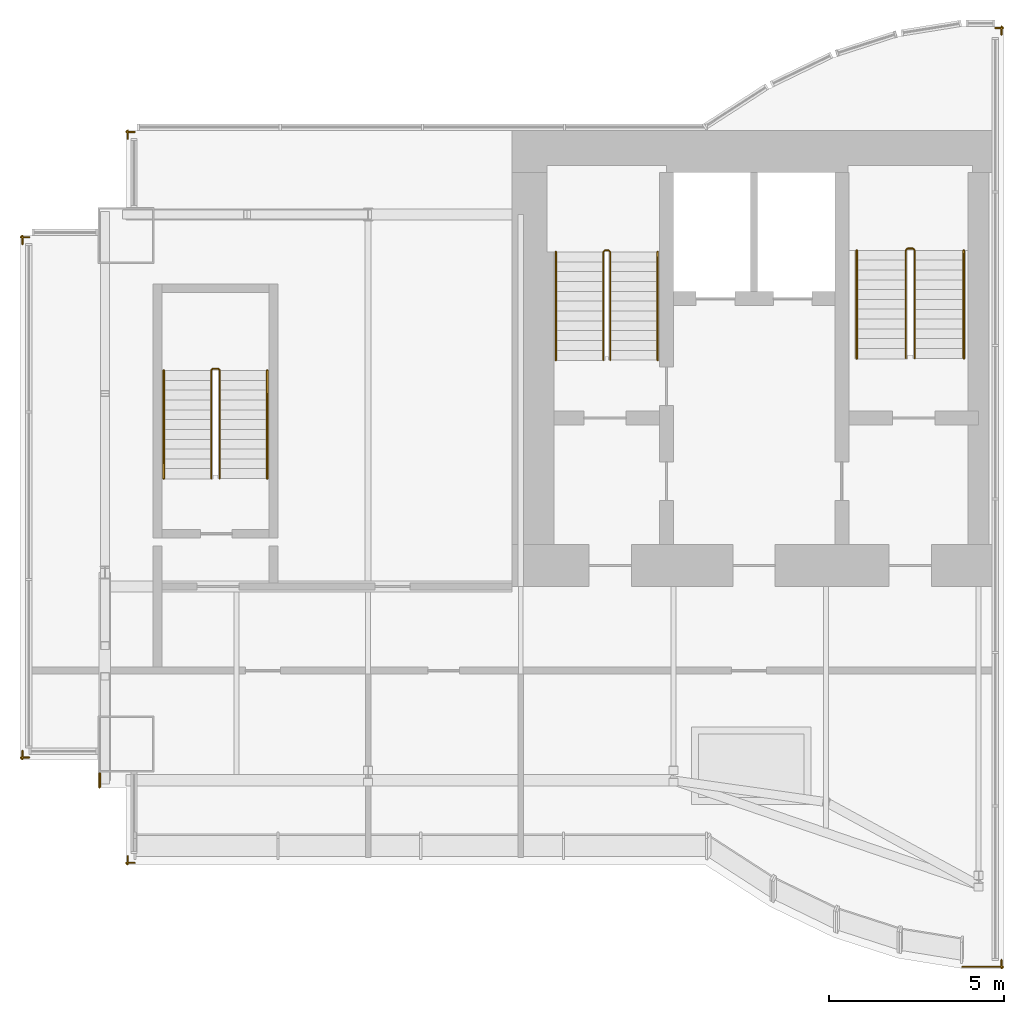
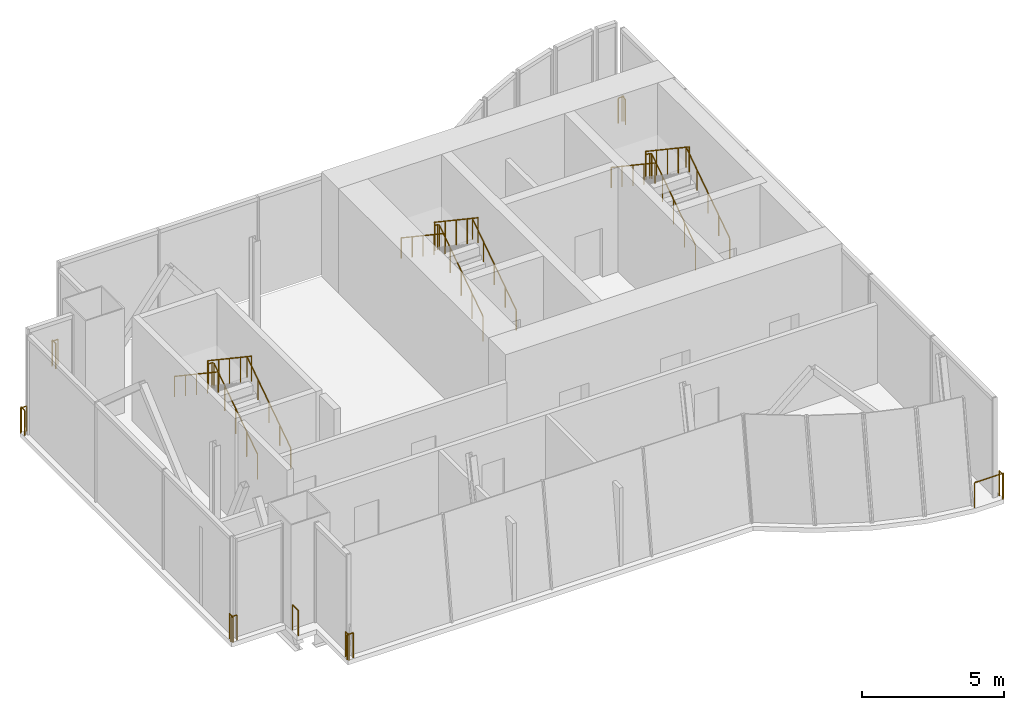
# One storey, part 5 of 6: 16 railings.
"""IFC4 building model written with IfcOpenShell, lengths in metres."""

from ifc_helpers import new_model, si_unit, direction, frame, origin, origin_2d, place, context, subcontext, project, spatial, circle, extrude, material, type_object, element, save


model = new_model("IFC4")

# Units and contexts
model_context = context("Model", 3, precision=1e-05, world=origin(), true_north=direction((0.0, 1.0)))
body_context = subcontext(model_context, "Body", "Model", "MODEL_VIEW")
ifc_project = project(units=[si_unit("LENGTHUNIT", "METRE"), si_unit("AREAUNIT", "SQUARE_METRE"), si_unit("VOLUMEUNIT", "CUBIC_METRE"), si_unit("PLANEANGLEUNIT", "RADIAN"), si_unit("MASSUNIT", "GRAM", prefix="KILO")], contexts=[model_context])

# Site, building, storey
site_placement = place(None, origin())
site = spatial("IfcSite", under=ifc_project, at=site_placement, CompositionType="ELEMENT")
building_placement = place(site_placement, origin())
building = spatial("IfcBuilding", under=site, at=building_placement, Name="Bicima Exchange Tower", CompositionType="ELEMENT")
storey_placement = place(building_placement, frame((0.0, 0.0, 365.89990234375)))
storey = spatial("IfcBuildingStorey", under=building, at=storey_placement, Name="L82", CompositionType="ELEMENT", Elevation=365.89990234375)

# Railings
ifc_material_1 = material(Name="Stainless steel and bonded safety glass", Category="steel")
railing_type_1 = type_object("IfcRailingType", Name="Edge guard 1100", PredefinedType="GUARDRAIL", material=ifc_material_1)
railing_1_placement = place(storey_placement, frame((-35.756103515625, -17.8759765625, 0.0)))
element("IfcRailing", 1, at=railing_1_placement, inside=storey, type_object=railing_type_1, Name="Edge guard L82 452", PredefinedType="GUARDRAIL", context=body_context, shape_type="SweptSolid", body=[
    extrude(circle(Radius=0.02392578125, at=origin_2d()), frame((0.0, 0.0, 1.076171875), z_axis=(-1.0, 0.0, 0.0), x_axis=(0.0, -1.0, 0.0)), (0.0, 0.0, 1.0), 0.243896484375),
    extrude(circle(Radius=0.02392578125, at=origin_2d()), frame((-0.243896484375, 0.0, 1.076171875), z_axis=(0.707106781187, -0.707106781187, 0.0), x_axis=(0.707106781187, 0.707106781187, 0.0)), (0.0, 0.0, 1.0), 0.07080078125),
    extrude(circle(Radius=0.02392578125, at=origin_2d()), frame((-0.19384765625, -0.050048828125, 1.076171875), z_axis=(0.0, 1.0, 0.0), x_axis=(-1.0, 0.0, 0.0)), (0.0, 0.0, 1.0), 0.248046875),
    extrude(circle(Radius=0.02099609375, at=origin_2d()), origin(), (0.0, 0.0, 1.0), 1.052001953125),
    extrude(circle(Radius=0.02099609375, at=origin_2d()), frame((-0.243896484375, 0.0, 0.0)), (0.0, 0.0, 1.0), 1.052001953125),
    extrude(circle(Radius=0.02099609375, at=origin_2d()), frame((-0.19384765625, -0.050048828125, 0.0)), (0.0, 0.0, 1.0), 1.052001953125),
    extrude(circle(Radius=0.02099609375, at=origin_2d()), frame((-0.19384765625, 0.197998046875, 0.0)), (0.0, 0.0, 1.0), 1.052001953125),
])
railing_2_placement = place(storey_placement, frame((-35.949951171875, -3.2490234375, 0.0)))
element("IfcRailing", 2, at=railing_2_placement, inside=storey, type_object=railing_type_1, Name="Edge guard L82 453", PredefinedType="GUARDRAIL", context=body_context, shape_type="SweptSolid", body=[
    extrude(circle(Radius=0.02392578125, at=origin_2d()), frame((0.0, 0.0, 1.076171875), z_axis=(0.0, 1.0, 0.0), x_axis=(-1.0, 0.0, 0.0)), (0.0, 0.0, 1.0), 0.2490234375),
    extrude(circle(Radius=0.02392578125, at=origin_2d()), frame((0.0, 0.2490234375, 1.076171875), z_axis=(-0.707106781187, -0.707106781187, 0.0), x_axis=(0.707106781187, -0.707106781187, 0.0)), (0.0, 0.0, 1.0), 0.07080078125),
    extrude(circle(Radius=0.02392578125, at=origin_2d()), frame((-0.050048828125, 0.198974609375, 1.076171875), z_axis=(1.0, 0.0, 0.0), x_axis=(0.0, 1.0, 0.0)), (0.0, 0.0, 1.0), 0.243896484375),
    extrude(circle(Radius=0.02099609375, at=origin_2d()), origin(), (0.0, 0.0, 1.0), 1.052001953125),
    extrude(circle(Radius=0.02099609375, at=origin_2d()), frame((0.0, 0.2490234375, 0.0)), (0.0, 0.0, 1.0), 1.052001953125),
    extrude(circle(Radius=0.02099609375, at=origin_2d()), frame((-0.050048828125, 0.198974609375, 0.0)), (0.0, 0.0, 1.0), 1.052001953125),
    extrude(circle(Radius=0.02099609375, at=origin_2d()), frame((0.19384765625, 0.198974609375, 0.0)), (0.0, 0.0, 1.0), 1.052001953125),
])
railing_3_placement = place(storey_placement, frame((-32.949951171875, -0.243896484375, 0.0)))
element("IfcRailing", 3, at=railing_3_placement, inside=storey, type_object=railing_type_1, Name="Edge guard L82 454", PredefinedType="GUARDRAIL", context=body_context, shape_type="SweptSolid", body=[
    extrude(circle(Radius=0.02392578125, at=origin_2d()), frame((0.0, 0.0, 1.076171875), z_axis=(0.0, 1.0, 0.0), x_axis=(-1.0, 0.0, 0.0)), (0.0, 0.0, 1.0), 0.243896484375),
    extrude(circle(Radius=0.02392578125, at=origin_2d()), frame((0.0, 0.243896484375, 1.076171875), z_axis=(-0.707106781187, -0.707106781187, 0.0), x_axis=(0.707106781187, -0.707106781187, 0.0)), (0.0, 0.0, 1.0), 0.07080078125),
    extrude(circle(Radius=0.02392578125, at=origin_2d()), frame((-0.050048828125, 0.19384765625, 1.076171875), z_axis=(1.0, 0.0, 0.0), x_axis=(0.0, 1.0, 0.0)), (0.0, 0.0, 1.0), 0.25),
    extrude(circle(Radius=0.02099609375, at=origin_2d()), origin(), (0.0, 0.0, 1.0), 1.052001953125),
    extrude(circle(Radius=0.02099609375, at=origin_2d()), frame((0.0, 0.243896484375, 0.0)), (0.0, 0.0, 1.0), 1.052001953125),
    extrude(circle(Radius=0.02099609375, at=origin_2d()), frame((-0.050048828125, 0.19384765625, 0.0)), (0.0, 0.0, 1.0), 1.052001953125),
    extrude(circle(Radius=0.02099609375, at=origin_2d()), frame((0.199951171875, 0.19384765625, 0.0)), (0.0, 0.0, 1.0), 1.052001953125),
])
railing_4_placement = place(storey_placement, frame((-8.23291015625, 2.9130859375, 0.0)))
element("IfcRailing", 4, at=railing_4_placement, inside=storey, type_object=railing_type_1, Name="Edge guard L82 455", PredefinedType="GUARDRAIL", context=body_context, shape_type="SweptSolid", body=[
    extrude(circle(Radius=0.02392578125, at=origin_2d()), frame((0.0, 0.0, 1.076171875), z_axis=(1.0, 0.0, 0.0), x_axis=(0.0, 1.0, 0.0)), (0.0, 0.0, 1.0), 0.23291015625),
    extrude(circle(Radius=0.02392578125, at=origin_2d()), frame((0.23291015625, 0.0, 1.076171875), z_axis=(-0.708833529934, 0.705375805398, 0.0), x_axis=(-0.705375805398, -0.708833529934, 0.0)), (0.0, 0.0, 1.0), 0.070556640625),
    extrude(circle(Radius=0.02392578125, at=origin_2d()), frame((0.182861328125, 0.0498046875, 1.076171875), z_axis=(0.0, -1.0, 0.0), x_axis=(1.0, 0.0, 0.0)), (0.0, 0.0, 1.0), 0.248779296875),
    extrude(circle(Radius=0.02099609375, at=origin_2d()), origin(), (0.0, 0.0, 1.0), 1.052001953125),
    extrude(circle(Radius=0.02099609375, at=origin_2d()), frame((0.23291015625, 0.0, 0.0)), (0.0, 0.0, 1.0), 1.052001953125),
    extrude(circle(Radius=0.02099609375, at=origin_2d()), frame((0.182861328125, 0.0498046875, 0.0)), (0.0, 0.0, 1.0), 1.052001953125),
    extrude(circle(Radius=0.02099609375, at=origin_2d()), frame((0.182861328125, -0.198974609375, 0.0)), (0.0, 0.0, 1.0), 1.052001953125),
])
railing_5_placement = place(storey_placement, frame((-8.050048828125, -23.64111328125, 0.0)))
element("IfcRailing", 5, at=railing_5_placement, inside=storey, type_object=railing_type_1, Name="Edge guard L82 456", PredefinedType="GUARDRAIL", context=body_context, shape_type="SweptSolid", body=[
    extrude(circle(Radius=0.02392578125, at=origin_2d()), frame((0.0, 0.0, 1.076171875), z_axis=(0.0, -1.0, 0.0), x_axis=(1.0, 0.0, 0.0)), (0.0, 0.0, 1.0), 0.247802734375),
    extrude(circle(Radius=0.02392578125, at=origin_2d()), frame((0.0, -0.247802734375, 1.076171875), z_axis=(0.708833529934, 0.705375805398, 0.0), x_axis=(-0.705375805398, 0.708833529934, 0.0)), (0.0, 0.0, 1.0), 0.070556640625),
    extrude(circle(Radius=0.02392578125, at=origin_2d()), frame((0.050048828125, -0.197998046875, 1.076171875), z_axis=(-1.0, 0.0, 0.0), x_axis=(0.0, -1.0, 0.0)), (0.0, 0.0, 1.0), 1.1669921875),
    extrude(circle(Radius=0.02099609375, at=origin_2d()), origin(), (0.0, 0.0, 1.0), 1.052001953125),
    extrude(circle(Radius=0.02099609375, at=origin_2d()), frame((0.0, -0.247802734375, 0.0)), (0.0, 0.0, 1.0), 1.052001953125),
    extrude(circle(Radius=0.02099609375, at=origin_2d()), frame((0.050048828125, -0.197998046875, 0.0)), (0.0, 0.0, 1.0), 1.052001953125),
    extrude(circle(Radius=0.02099609375, at=origin_2d()), frame((-1.116943359375, -0.197998046875, 0.0)), (0.0, 0.0, 1.0), 1.052001953125),
])
railing_6_placement = place(storey_placement, frame((-32.75, -20.8759765625, 0.0)))
element("IfcRailing", 6, at=railing_6_placement, inside=storey, type_object=railing_type_1, Name="Edge guard L82 457", PredefinedType="GUARDRAIL", context=body_context, shape_type="SweptSolid", body=[
    extrude(circle(Radius=0.02392578125, at=origin_2d()), frame((0.0, 0.0, 1.076171875), z_axis=(-1.0, 0.0, 0.0), x_axis=(0.0, -1.0, 0.0)), (0.0, 0.0, 1.0), 0.25),
    extrude(circle(Radius=0.02392578125, at=origin_2d()), frame((-0.25, 0.0, 1.076171875), z_axis=(0.707106781187, -0.707106781187, 0.0), x_axis=(0.707106781187, 0.707106781187, 0.0)), (0.0, 0.0, 1.0), 0.07080078125),
    extrude(circle(Radius=0.02392578125, at=origin_2d()), frame((-0.199951171875, -0.050048828125, 1.076171875), z_axis=(0.0, 1.0, 0.0), x_axis=(-1.0, 0.0, 0.0)), (0.0, 0.0, 1.0), 0.244140625),
    extrude(circle(Radius=0.02099609375, at=origin_2d()), origin(), (0.0, 0.0, 1.0), 1.052001953125),
    extrude(circle(Radius=0.02099609375, at=origin_2d()), frame((-0.25, 0.0, 0.0)), (0.0, 0.0, 1.0), 1.052001953125),
    extrude(circle(Radius=0.02099609375, at=origin_2d()), frame((-0.199951171875, -0.050048828125, 0.0)), (0.0, 0.0, 1.0), 1.052001953125),
    extrude(circle(Radius=0.02099609375, at=origin_2d()), frame((-0.199951171875, 0.194091796875, 0.0)), (0.0, 0.0, 1.0), 1.052001953125),
])
railing_7_placement = place(storey_placement, frame((-33.75, -18.72607421875, 0.0)))
element("IfcRailing", 7, at=railing_7_placement, inside=storey, type_object=railing_type_1, Name="Edge guard L82 458", PredefinedType="GUARDRAIL", context=body_context, shape_type="SweptSolid", body=[
    extrude(circle(Radius=0.02392578125, at=origin_2d()), frame((0.0, 0.0, 1.076171875), z_axis=(0.0, 1.0, 0.0), x_axis=(-1.0, 0.0, 0.0)), (0.0, 0.0, 1.0), 0.400146484375),
    extrude(circle(Radius=0.02099609375, at=origin_2d()), origin(), (0.0, 0.0, 1.0), 1.052001953125),
    extrude(circle(Radius=0.02099609375, at=origin_2d()), frame((0.0, 0.400146484375, 0.0)), (0.0, 0.0, 1.0), 1.052001953125),
])
ifc_material_2 = material(Name="Stainless steel", Category="steel")
railing_type_2 = type_object("IfcRailingType", Name="Stair guard 1100", PredefinedType="GUARDRAIL", material=ifc_material_2)
railing_8_placement = place(storey_placement, frame((-19.199951171875, -6.550048828125, 0.1875)))
element("IfcRailing", 8, at=railing_8_placement, inside=storey, type_object=railing_type_2, Name="L82 ST-W stair guard 1", PredefinedType="GUARDRAIL", context=body_context, shape_type="SweptSolid", body=[
    extrude(circle(Radius=0.02392578125, at=origin_2d()), frame((0.0, 0.0, 1.076171875), z_axis=(0.0, 0.830913701846, 0.55640131208), x_axis=(-1.0, 0.0, 0.0)), (0.0, 0.0, 1.0), 3.706787109375),
    extrude(circle(Radius=0.02392578125, at=origin_2d()), frame((0.0, 3.080078125, 3.138671875), z_axis=(-0.707106781187, 0.707106781187, 0.0), x_axis=(-0.707106781187, -0.707106781187, 0.0)), (0.0, 0.0, 1.0), 0.07080078125),
    extrude(circle(Radius=0.02392578125, at=origin_2d()), frame((-0.050048828125, 3.130126953125, 3.138671875), z_axis=(-1.0, 0.0, 0.0), x_axis=(0.0, -1.0, 0.0)), (0.0, 0.0, 1.0), 0.10009765625),
    extrude(circle(Radius=0.02392578125, at=origin_2d()), frame((-0.150146484375, 3.130126953125, 3.138671875), z_axis=(-0.248583702486, -0.249802250048, 0.935844527007), x_axis=(0.708833529934, -0.705375805398, 0.0)), (0.0, 0.0, 1.0), 0.200439453125),
    extrude(circle(Radius=0.02392578125, at=origin_2d()), frame((-0.199951171875, 3.080078125, 3.326171875), z_axis=(0.0, -0.830913701846, 0.55640131208), x_axis=(1.0, 0.0, 0.0)), (0.0, 0.0, 1.0), 3.706787109375),
    extrude(circle(Radius=0.02099609375, at=origin_2d()), origin(), (0.0, 0.0, 1.0), 1.052001953125),
    extrude(circle(Radius=0.02099609375, at=origin_2d()), frame((0.0, 0.77001953125, 0.515625)), (0.0, 0.0, 1.0), 1.052001953125),
    extrude(circle(Radius=0.02099609375, at=origin_2d()), frame((0.0, 1.5400390625, 1.03125)), (0.0, 0.0, 1.0), 1.052001953125),
    extrude(circle(Radius=0.02099609375, at=origin_2d()), frame((0.0, 2.31005859375, 1.546875)), (0.0, 0.0, 1.0), 1.052001953125),
    extrude(circle(Radius=0.02099609375, at=origin_2d()), frame((0.0, 3.080078125, 2.0625)), (0.0, 0.0, 1.0), 1.052001953125),
    extrude(circle(Radius=0.02099609375, at=origin_2d()), frame((-0.050048828125, 3.130126953125, 2.0625)), (0.0, 0.0, 1.0), 1.052001953125),
    extrude(circle(Radius=0.02099609375, at=origin_2d()), frame((-0.150146484375, 3.130126953125, 2.0625)), (0.0, 0.0, 1.0), 1.052001953125),
    extrude(circle(Radius=0.02099609375, at=origin_2d()), frame((-0.199951171875, 3.080078125, 2.25)), (0.0, 0.0, 1.0), 1.052001953125),
    extrude(circle(Radius=0.02099609375, at=origin_2d()), frame((-0.199951171875, 2.31005859375, 2.765625)), (0.0, 0.0, 1.0), 1.052001953125),
    extrude(circle(Radius=0.02099609375, at=origin_2d()), frame((-0.199951171875, 1.5400390625, 3.28125)), (0.0, 0.0, 1.0), 1.052001953125),
    extrude(circle(Radius=0.02099609375, at=origin_2d()), frame((-0.199951171875, 0.77001953125, 3.796875)), (0.0, 0.0, 1.0), 1.052001953125),
    extrude(circle(Radius=0.02099609375, at=origin_2d()), frame((-0.199951171875, 0.0, 4.3125)), (0.0, 0.0, 1.0), 1.052001953125),
])
railing_9_placement = place(storey_placement, frame((-10.52490234375, -6.5, 0.1875)))
element("IfcRailing", 9, at=railing_9_placement, inside=storey, type_object=railing_type_2, Name="L82 ST-CR stair guard 1", PredefinedType="GUARDRAIL", context=body_context, shape_type="SweptSolid", body=[
    extrude(circle(Radius=0.02392578125, at=origin_2d()), frame((0.0, 0.0, 1.076171875), z_axis=(0.0, 0.830913701846, 0.55640131208), x_axis=(-1.0, 0.0, 0.0)), (0.0, 0.0, 1.0), 3.706787109375),
    extrude(circle(Radius=0.02392578125, at=origin_2d()), frame((0.0, 3.080078125, 3.138671875), z_axis=(-0.708833529934, 0.705375805398, 0.0), x_axis=(-0.705375805398, -0.708833529934, 0.0)), (0.0, 0.0, 1.0), 0.070556640625),
    extrude(circle(Radius=0.02392578125, at=origin_2d()), frame((-0.050048828125, 3.1298828125, 3.138671875), z_axis=(-1.0, 0.0, 0.0), x_axis=(0.0, -1.0, 0.0)), (0.0, 0.0, 1.0), 0.150146484375),
    extrude(circle(Radius=0.02392578125, at=origin_2d()), frame((-0.2001953125, 3.1298828125, 3.138671875), z_axis=(-0.248659220195, -0.248659220195, 0.936128828968), x_axis=(0.707106781187, -0.707106781187, 0.0)), (0.0, 0.0, 1.0), 0.2001953125),
    extrude(circle(Radius=0.02392578125, at=origin_2d()), frame((-0.25, 3.080078125, 3.326171875), z_axis=(0.0, -0.830913701846, 0.55640131208), x_axis=(1.0, 0.0, 0.0)), (0.0, 0.0, 1.0), 3.706787109375),
    extrude(circle(Radius=0.02099609375, at=origin_2d()), origin(), (0.0, 0.0, 1.0), 1.052001953125),
    extrude(circle(Radius=0.02099609375, at=origin_2d()), frame((0.0, 0.77001953125, 0.515625)), (0.0, 0.0, 1.0), 1.052001953125),
    extrude(circle(Radius=0.02099609375, at=origin_2d()), frame((0.0, 1.5400390625, 1.03125)), (0.0, 0.0, 1.0), 1.052001953125),
    extrude(circle(Radius=0.02099609375, at=origin_2d()), frame((0.0, 2.31005859375, 1.546875)), (0.0, 0.0, 1.0), 1.052001953125),
    extrude(circle(Radius=0.02099609375, at=origin_2d()), frame((0.0, 3.080078125, 2.0625)), (0.0, 0.0, 1.0), 1.052001953125),
    extrude(circle(Radius=0.02099609375, at=origin_2d()), frame((-0.050048828125, 3.1298828125, 2.0625)), (0.0, 0.0, 1.0), 1.052001953125),
    extrude(circle(Radius=0.02099609375, at=origin_2d()), frame((-0.2001953125, 3.1298828125, 2.0625)), (0.0, 0.0, 1.0), 1.052001953125),
    extrude(circle(Radius=0.02099609375, at=origin_2d()), frame((-0.25, 3.080078125, 2.25)), (0.0, 0.0, 1.0), 1.052001953125),
    extrude(circle(Radius=0.02099609375, at=origin_2d()), frame((-0.25, 2.31005859375, 2.765625)), (0.0, 0.0, 1.0), 1.052001953125),
    extrude(circle(Radius=0.02099609375, at=origin_2d()), frame((-0.25, 1.5400390625, 3.28125)), (0.0, 0.0, 1.0), 1.052001953125),
    extrude(circle(Radius=0.02099609375, at=origin_2d()), frame((-0.25, 0.77001953125, 3.796875)), (0.0, 0.0, 1.0), 1.052001953125),
    extrude(circle(Radius=0.02099609375, at=origin_2d()), frame((-0.25, 0.0, 4.3125)), (0.0, 0.0, 1.0), 1.052001953125),
])
railing_10_placement = place(storey_placement, frame((-30.324951171875, -9.925048828125, 0.1875)))
element("IfcRailing", 10, at=railing_10_placement, inside=storey, type_object=railing_type_2, Name="L82 ST-WW stair guard 1", PredefinedType="GUARDRAIL", context=body_context, shape_type="SweptSolid", body=[
    extrude(circle(Radius=0.02392578125, at=origin_2d()), frame((0.0, 0.0, 1.076171875), z_axis=(0.0, 0.830913701846, 0.55640131208), x_axis=(-1.0, 0.0, 0.0)), (0.0, 0.0, 1.0), 3.706787109375),
    extrude(circle(Radius=0.02392578125, at=origin_2d()), frame((0.0, 3.080078125, 3.138671875), z_axis=(-0.707106781187, 0.707106781187, 0.0), x_axis=(-0.707106781187, -0.707106781187, 0.0)), (0.0, 0.0, 1.0), 0.07080078125),
    extrude(circle(Radius=0.02392578125, at=origin_2d()), frame((-0.050048828125, 3.130126953125, 3.138671875), z_axis=(-1.0, 0.0, 0.0), x_axis=(0.0, -1.0, 0.0)), (0.0, 0.0, 1.0), 0.14990234375),
    extrude(circle(Radius=0.02392578125, at=origin_2d()), frame((-0.199951171875, 3.130126953125, 3.138671875), z_axis=(-0.249726431254, -0.249726431254, 0.935560483917), x_axis=(0.707106781187, -0.707106781187, 0.0)), (0.0, 0.0, 1.0), 0.200439453125),
    extrude(circle(Radius=0.02392578125, at=origin_2d()), frame((-0.25, 3.080078125, 3.326171875), z_axis=(0.0, -0.830913701846, 0.55640131208), x_axis=(1.0, 0.0, 0.0)), (0.0, 0.0, 1.0), 3.706787109375),
    extrude(circle(Radius=0.02099609375, at=origin_2d()), origin(), (0.0, 0.0, 1.0), 1.052001953125),
    extrude(circle(Radius=0.02099609375, at=origin_2d()), frame((0.0, 0.77001953125, 0.515625)), (0.0, 0.0, 1.0), 1.052001953125),
    extrude(circle(Radius=0.02099609375, at=origin_2d()), frame((0.0, 1.5400390625, 1.03125)), (0.0, 0.0, 1.0), 1.052001953125),
    extrude(circle(Radius=0.02099609375, at=origin_2d()), frame((0.0, 2.31005859375, 1.546875)), (0.0, 0.0, 1.0), 1.052001953125),
    extrude(circle(Radius=0.02099609375, at=origin_2d()), frame((0.0, 3.080078125, 2.0625)), (0.0, 0.0, 1.0), 1.052001953125),
    extrude(circle(Radius=0.02099609375, at=origin_2d()), frame((-0.050048828125, 3.130126953125, 2.0625)), (0.0, 0.0, 1.0), 1.052001953125),
    extrude(circle(Radius=0.02099609375, at=origin_2d()), frame((-0.199951171875, 3.130126953125, 2.0625)), (0.0, 0.0, 1.0), 1.052001953125),
    extrude(circle(Radius=0.02099609375, at=origin_2d()), frame((-0.25, 3.080078125, 2.25)), (0.0, 0.0, 1.0), 1.052001953125),
    extrude(circle(Radius=0.02099609375, at=origin_2d()), frame((-0.25, 2.31005859375, 2.765625)), (0.0, 0.0, 1.0), 1.052001953125),
    extrude(circle(Radius=0.02099609375, at=origin_2d()), frame((-0.25, 1.5400390625, 3.28125)), (0.0, 0.0, 1.0), 1.052001953125),
    extrude(circle(Radius=0.02099609375, at=origin_2d()), frame((-0.25, 0.77001953125, 3.796875)), (0.0, 0.0, 1.0), 1.052001953125),
    extrude(circle(Radius=0.02099609375, at=origin_2d()), frame((-0.25, 0.0, 4.3125)), (0.0, 0.0, 1.0), 1.052001953125),
])
railing_type_3 = type_object("IfcRailingType", Name="Stair handrail 900", PredefinedType="HANDRAIL", material=ifc_material_2)
railing_11_placement = place(storey_placement, frame((-17.85009765625, -6.550048828125, 0.1875)))
element("IfcRailing", 11, at=railing_11_placement, inside=storey, type_object=railing_type_3, Name="L82 ST-W stair handrail 1", PredefinedType="HANDRAIL", context=body_context, shape_type="SweptSolid", body=[
    extrude(circle(Radius=0.02392578125, at=origin_2d()), frame((0.0, 0.0, 0.8759765625), z_axis=(0.0, 0.830913701846, 0.55640131208), x_axis=(-1.0, 0.0, 0.0)), (0.0, 0.0, 1.0), 3.706787109375),
    extrude(circle(Radius=0.02099609375, at=origin_2d()), origin(), (0.0, 0.0, 1.0), 0.851806640625),
    extrude(circle(Radius=0.02099609375, at=origin_2d()), frame((0.0, 0.77001953125, 0.515625)), (0.0, 0.0, 1.0), 0.851806640625),
    extrude(circle(Radius=0.02099609375, at=origin_2d()), frame((0.0, 1.5400390625, 1.03125)), (0.0, 0.0, 1.0), 0.851806640625),
    extrude(circle(Radius=0.02099609375, at=origin_2d()), frame((0.0, 2.31005859375, 1.546875)), (0.0, 0.0, 1.0), 0.851806640625),
    extrude(circle(Radius=0.02099609375, at=origin_2d()), frame((0.0, 3.080078125, 2.0625)), (0.0, 0.0, 1.0), 0.851806640625),
])
railing_12_placement = place(storey_placement, frame((-20.75, -3.469970703125, 2.4375)))
element("IfcRailing", 12, at=railing_12_placement, inside=storey, type_object=railing_type_3, Name="L82 ST-W stair handrail 2", PredefinedType="HANDRAIL", context=body_context, shape_type="SweptSolid", body=[
    extrude(circle(Radius=0.02392578125, at=origin_2d()), frame((0.0, 0.0, 0.8759765625), z_axis=(0.0, -0.830913701846, 0.55640131208), x_axis=(1.0, 0.0, 0.0)), (0.0, 0.0, 1.0), 3.706787109375),
    extrude(circle(Radius=0.02099609375, at=origin_2d()), origin(), (0.0, 0.0, 1.0), 0.851806640625),
    extrude(circle(Radius=0.02099609375, at=origin_2d()), frame((0.0, -0.77001953125, 0.515625)), (0.0, 0.0, 1.0), 0.851806640625),
    extrude(circle(Radius=0.02099609375, at=origin_2d()), frame((0.0, -1.5400390625, 1.03125)), (0.0, 0.0, 1.0), 0.851806640625),
    extrude(circle(Radius=0.02099609375, at=origin_2d()), frame((0.0, -2.31005859375, 1.546875)), (0.0, 0.0, 1.0), 0.851806640625),
    extrude(circle(Radius=0.02099609375, at=origin_2d()), frame((0.0, -3.080078125, 2.0625)), (0.0, 0.0, 1.0), 0.851806640625),
])
railing_13_placement = place(storey_placement, frame((-9.125, -6.5, 0.1875)))
element("IfcRailing", 13, at=railing_13_placement, inside=storey, type_object=railing_type_3, Name="L82 ST-CR stair handrail 1", PredefinedType="HANDRAIL", context=body_context, shape_type="SweptSolid", body=[
    extrude(circle(Radius=0.02392578125, at=origin_2d()), frame((0.0, 0.0, 0.8759765625), z_axis=(0.0, 0.830913701846, 0.55640131208), x_axis=(-1.0, 0.0, 0.0)), (0.0, 0.0, 1.0), 3.706787109375),
    extrude(circle(Radius=0.02099609375, at=origin_2d()), origin(), (0.0, 0.0, 1.0), 0.851806640625),
    extrude(circle(Radius=0.02099609375, at=origin_2d()), frame((0.0, 0.77001953125, 0.515625)), (0.0, 0.0, 1.0), 0.851806640625),
    extrude(circle(Radius=0.02099609375, at=origin_2d()), frame((0.0, 1.5400390625, 1.03125)), (0.0, 0.0, 1.0), 0.851806640625),
    extrude(circle(Radius=0.02099609375, at=origin_2d()), frame((0.0, 2.31005859375, 1.546875)), (0.0, 0.0, 1.0), 0.851806640625),
    extrude(circle(Radius=0.02099609375, at=origin_2d()), frame((0.0, 3.080078125, 2.0625)), (0.0, 0.0, 1.0), 0.851806640625),
])
railing_14_placement = place(storey_placement, frame((-12.175048828125, -3.419921875, 2.4375)))
element("IfcRailing", 14, at=railing_14_placement, inside=storey, type_object=railing_type_3, Name="L82 ST-CR stair handrail 2", PredefinedType="HANDRAIL", context=body_context, shape_type="SweptSolid", body=[
    extrude(circle(Radius=0.02392578125, at=origin_2d()), frame((0.0, 0.0, 0.8759765625), z_axis=(0.0, -0.830913701846, 0.55640131208), x_axis=(1.0, 0.0, 0.0)), (0.0, 0.0, 1.0), 3.706787109375),
    extrude(circle(Radius=0.02099609375, at=origin_2d()), origin(), (0.0, 0.0, 1.0), 0.851806640625),
    extrude(circle(Radius=0.02099609375, at=origin_2d()), frame((0.0, -0.77001953125, 0.515625)), (0.0, 0.0, 1.0), 0.851806640625),
    extrude(circle(Radius=0.02099609375, at=origin_2d()), frame((0.0, -1.5400390625, 1.03125)), (0.0, 0.0, 1.0), 0.851806640625),
    extrude(circle(Radius=0.02099609375, at=origin_2d()), frame((0.0, -2.31005859375, 1.546875)), (0.0, 0.0, 1.0), 0.851806640625),
    extrude(circle(Radius=0.02099609375, at=origin_2d()), frame((0.0, -3.080078125, 2.0625)), (0.0, 0.0, 1.0), 0.851806640625),
])
railing_15_placement = place(storey_placement, frame((-28.97509765625, -9.925048828125, 0.1875)))
element("IfcRailing", 15, at=railing_15_placement, inside=storey, type_object=railing_type_3, Name="L82 ST-WW stair handrail 1", PredefinedType="HANDRAIL", context=body_context, shape_type="SweptSolid", body=[
    extrude(circle(Radius=0.02392578125, at=origin_2d()), frame((0.0, 0.0, 0.8759765625), z_axis=(0.0, 0.830913701846, 0.55640131208), x_axis=(-1.0, 0.0, 0.0)), (0.0, 0.0, 1.0), 3.706787109375),
    extrude(circle(Radius=0.02099609375, at=origin_2d()), origin(), (0.0, 0.0, 1.0), 0.851806640625),
    extrude(circle(Radius=0.02099609375, at=origin_2d()), frame((0.0, 0.77001953125, 0.515625)), (0.0, 0.0, 1.0), 0.851806640625),
    extrude(circle(Radius=0.02099609375, at=origin_2d()), frame((0.0, 1.5400390625, 1.03125)), (0.0, 0.0, 1.0), 0.851806640625),
    extrude(circle(Radius=0.02099609375, at=origin_2d()), frame((0.0, 2.31005859375, 1.546875)), (0.0, 0.0, 1.0), 0.851806640625),
    extrude(circle(Radius=0.02099609375, at=origin_2d()), frame((0.0, 3.080078125, 2.0625)), (0.0, 0.0, 1.0), 0.851806640625),
])
railing_16_placement = place(storey_placement, frame((-31.925048828125, -6.844970703125, 2.4375)))
element("IfcRailing", 16, at=railing_16_placement, inside=storey, type_object=railing_type_3, Name="L82 ST-WW stair handrail 2", PredefinedType="HANDRAIL", context=body_context, shape_type="SweptSolid", body=[
    extrude(circle(Radius=0.02392578125, at=origin_2d()), frame((0.0, 0.0, 0.8759765625), z_axis=(0.0, -0.830913701846, 0.55640131208), x_axis=(1.0, 0.0, 0.0)), (0.0, 0.0, 1.0), 3.706787109375),
    extrude(circle(Radius=0.02099609375, at=origin_2d()), origin(), (0.0, 0.0, 1.0), 0.851806640625),
    extrude(circle(Radius=0.02099609375, at=origin_2d()), frame((0.0, -0.77001953125, 0.515625)), (0.0, 0.0, 1.0), 0.851806640625),
    extrude(circle(Radius=0.02099609375, at=origin_2d()), frame((0.0, -1.5400390625, 1.03125)), (0.0, 0.0, 1.0), 0.851806640625),
    extrude(circle(Radius=0.02099609375, at=origin_2d()), frame((0.0, -2.31005859375, 1.546875)), (0.0, 0.0, 1.0), 0.851806640625),
    extrude(circle(Radius=0.02099609375, at=origin_2d()), frame((0.0, -3.080078125, 2.0625)), (0.0, 0.0, 1.0), 0.851806640625),
])

save(model, "model.ifc")
